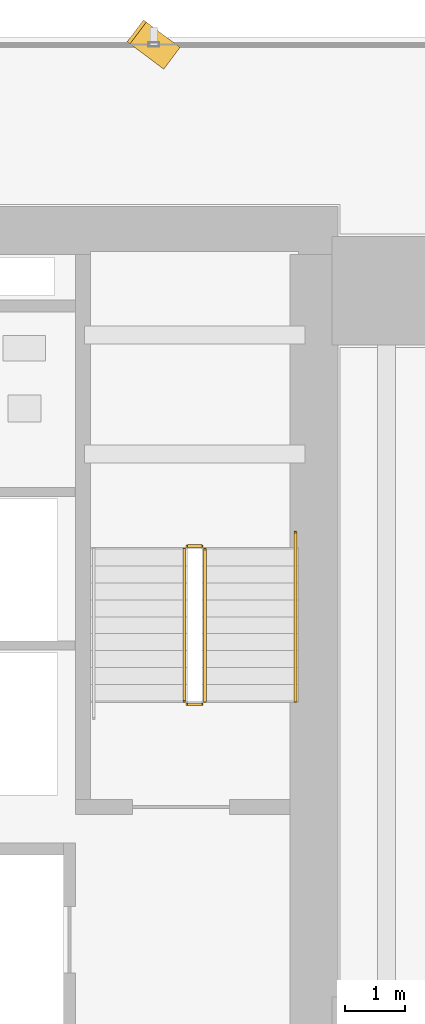
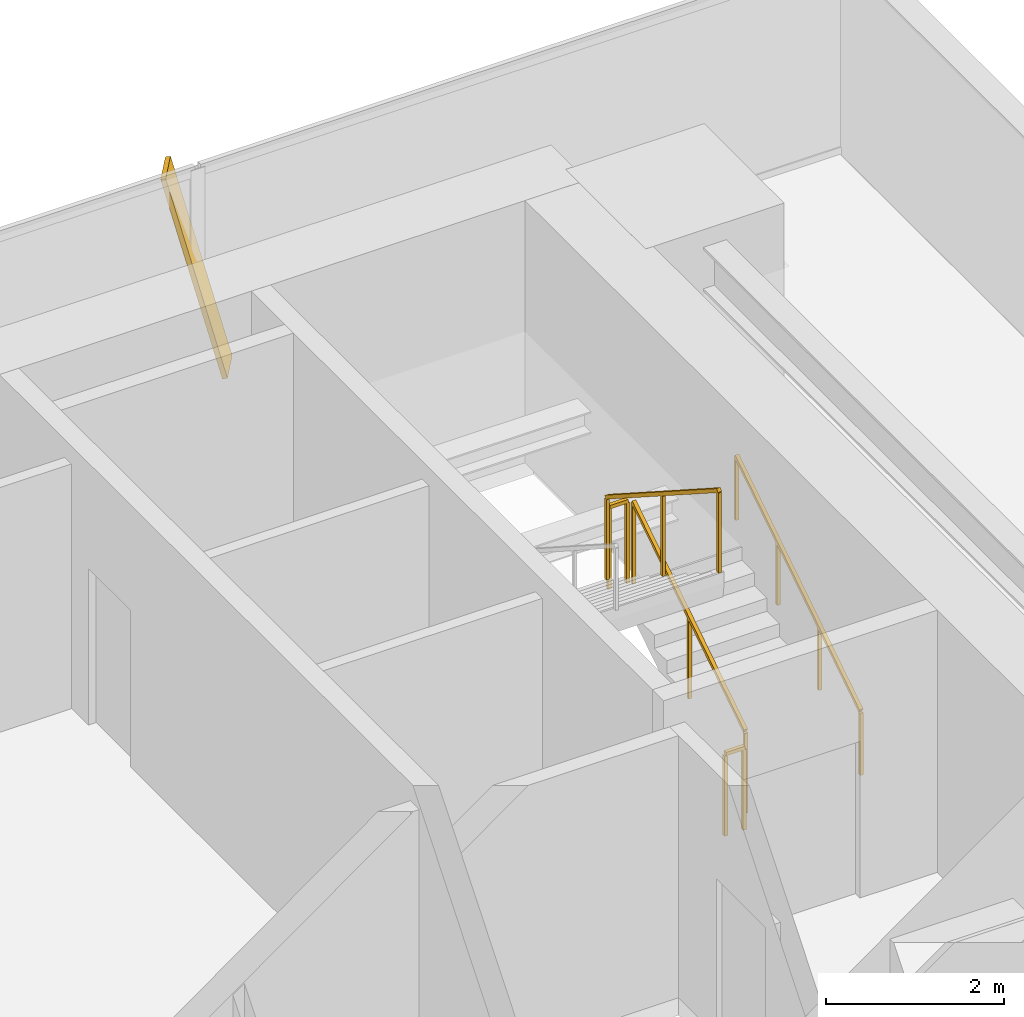
# One storey, part 32 of 33: 5 railings, 1 shading device.
"""IFC4 building model written with IfcOpenShell, lengths in metres."""

from ifc_helpers import new_model, si_unit, direction, frame, origin, origin_2d, place, context, subcontext, project, spatial, rectangle, extrude, source, transform, mapped, material, material_profile, profile_set, type_object, element, save


model = new_model("IFC4")

# Units and contexts
model_context = context("Model", 3, precision=1e-05, world=origin(), true_north=direction((0.0, 1.0)))
body_context = subcontext(model_context, "Body", "Model", "MODEL_VIEW")
ifc_project = project(units=[si_unit("LENGTHUNIT", "METRE"), si_unit("AREAUNIT", "SQUARE_METRE"), si_unit("VOLUMEUNIT", "CUBIC_METRE"), si_unit("PLANEANGLEUNIT", "RADIAN"), si_unit("MASSUNIT", "GRAM", prefix="KILO")], contexts=[model_context])

# Site, building, storey
site_placement = place(None, origin())
site = spatial("IfcSite", under=ifc_project, at=site_placement, CompositionType="ELEMENT")
building_placement = place(site_placement, origin())
building = spatial("IfcBuilding", under=site, at=building_placement, Name="Sumidabori Civic Tower", CompositionType="ELEMENT")
storey_placement = place(building_placement, frame((0.0, 0.0, 30.800048828125)))
storey = spatial("IfcBuildingStorey", under=building, at=storey_placement, Name="L07", CompositionType="ELEMENT", Elevation=30.800048828125)

# Railings
ifc_material_1 = material(Name="Stainless Steel Hairline Finish", Category="steel")
railing_type_1 = type_object("IfcRailingType", Name="RL-HANDRAIL", PredefinedType="HANDRAIL", material=ifc_material_1)
railing_1_placement = place(storey_placement, frame((15.2900390625, 16.0, 0.179931640625)))
element("IfcRailing", 1, at=railing_1_placement, inside=storey, type_object=railing_type_1, Name="L07 ST-2 stair handrail 1", PredefinedType="HANDRAIL", context=body_context, shape_type="SweptSolid", body=[
    extrude(rectangle(XDim=0.048095703125, YDim=0.048095703125, at=origin_2d()), frame((0.0, 0.0, 0.8759765625), z_axis=(0.0, 0.840675598268, 0.541539046124), x_axis=(-1.0, 0.0, 0.0)), (0.0, 0.0, 1.0), 3.330810546875),
    extrude(rectangle(XDim=0.0419921875, YDim=0.0419921875, at=origin_2d()), origin(), (0.0, 0.0, 1.0), 0.851806640625),
    extrude(rectangle(XDim=0.0419921875, YDim=0.0419921875, at=origin_2d()), frame((0.0, 0.933349609375, 0.601318359375)), (0.0, 0.0, 1.0), 0.851806640625),
    extrude(rectangle(XDim=0.0419921875, YDim=0.0419921875, at=origin_2d()), frame((0.0, 1.86669921875, 1.202392578125)), (0.0, 0.0, 1.0), 0.851806640625),
    extrude(rectangle(XDim=0.0419921875, YDim=0.0419921875, at=origin_2d()), frame((0.0, 2.800048828125, 1.8037109375)), (0.0, 0.0, 1.0), 0.851806640625),
])
ifc_material_2 = material(Name="Steel SN490", Category="steel")
railing_type_2 = type_object("IfcRailingType", Name="RL-STAIR-GUARD", PredefinedType="GUARDRAIL", material=ifc_material_2)
railing_2_placement = place(storey_placement, frame((13.7900390625, 16.0, 0.179931640625)))
element("IfcRailing", 2, at=railing_2_placement, inside=storey, type_object=railing_type_2, Name="L07 ST-2 stair guard 1", PredefinedType="GUARDRAIL", context=body_context, shape_type="SweptSolid", body=[
    extrude(rectangle(XDim=0.048095703125, YDim=0.048095703125, at=origin_2d()), frame((0.0, 0.0, 1.1259765625), z_axis=(0.0, 0.841162588446, 0.540782303519), x_axis=(-1.0, 0.0, 0.0)), (0.0, 0.0, 1.0), 2.995849609375),
    extrude(rectangle(XDim=0.0419921875, YDim=0.0419921875, at=origin_2d()), origin(), (0.0, 0.0, 1.0), 1.101806640625),
    extrude(rectangle(XDim=0.0419921875, YDim=0.0419921875, at=origin_2d()), frame((0.0, 1.260009765625, 0.81005859375)), (0.0, 0.0, 1.0), 1.101806640625),
    extrude(rectangle(XDim=0.0419921875, YDim=0.0419921875, at=origin_2d()), frame((0.0, 2.52001953125, 1.6201171875)), (0.0, 0.0, 1.0), 1.101806640625),
])
railing_3_placement = place(storey_placement, frame((13.739990234375, 18.570068359375, 1.800048828125)))
element("IfcRailing", 3, at=railing_3_placement, inside=storey, type_object=railing_type_2, Name="L07 ST-2 stair guard 2", PredefinedType="GUARDRAIL", context=body_context, shape_type="SweptSolid", body=[
    extrude(rectangle(XDim=0.048095703125, YDim=0.048095703125, at=origin_2d()), frame((0.0, 0.0, 1.1259765625), z_axis=(-1.0, 0.0, 0.0), x_axis=(0.0, -1.0, 0.0)), (0.0, 0.0, 1.0), 0.239990234375),
    extrude(rectangle(XDim=0.0419921875, YDim=0.0419921875, at=origin_2d()), origin(), (0.0, 0.0, 1.0), 1.101806640625),
    extrude(rectangle(XDim=0.0419921875, YDim=0.0419921875, at=origin_2d()), frame((-0.239990234375, 0.0, 0.0)), (0.0, 0.0, 1.0), 1.101806640625),
])
railing_4_placement = place(storey_placement, frame((13.449951171875, 18.52001953125, 1.97998046875)))
element("IfcRailing", 4, at=railing_4_placement, inside=storey, type_object=railing_type_2, Name="L07 ST-2 stair guard 3", PredefinedType="GUARDRAIL", context=body_context, shape_type="SweptSolid", body=[
    extrude(rectangle(XDim=0.048095703125, YDim=0.048095703125, at=origin_2d()), frame((0.0, 0.0, 1.1259765625), z_axis=(0.0, -0.841199657755, 0.540724639528), x_axis=(1.0, 0.0, 0.0)), (0.0, 0.0, 1.0), 2.995849609375),
    extrude(rectangle(XDim=0.0419921875, YDim=0.0419921875, at=origin_2d()), origin(), (0.0, 0.0, 1.0), 1.101806640625),
    extrude(rectangle(XDim=0.0419921875, YDim=0.0419921875, at=origin_2d()), frame((0.0, -1.260009765625, 0.81005859375)), (0.0, 0.0, 1.0), 1.101806640625),
    extrude(rectangle(XDim=0.0419921875, YDim=0.0419921875, at=origin_2d()), frame((0.0, -2.52001953125, 1.619873046875)), (0.0, 0.0, 1.0), 1.101806640625),
])
railing_5_placement = place(storey_placement, frame((13.739990234375, 15.949951171875, 0.0)))
element("IfcRailing", 5, at=railing_5_placement, inside=storey, type_object=railing_type_2, Name="L07 ST-2 stair guard 4", PredefinedType="GUARDRAIL", context=body_context, shape_type="SweptSolid", body=[
    extrude(rectangle(XDim=0.048095703125, YDim=0.048095703125, at=origin_2d()), frame((0.0, 0.0, 1.1259765625), z_axis=(-1.0, 0.0, 0.0), x_axis=(0.0, -1.0, 0.0)), (0.0, 0.0, 1.0), 0.239990234375),
    extrude(rectangle(XDim=0.0419921875, YDim=0.0419921875, at=origin_2d()), origin(), (0.0, 0.0, 1.0), 1.101806640625),
    extrude(rectangle(XDim=0.0419921875, YDim=0.0419921875, at=origin_2d()), frame((-0.239990234375, 0.0, 0.0)), (0.0, 0.0, 1.0), 1.101806640625),
])

# Shading device
ifc_material_3 = material(Name="Anodised Bronze Aluminium AW-6063-T6", Category="aluminium")
ifc_material_profile = material_profile(ifc_material_3, rectangle(XDim=0.06005859375, YDim=0.449951171875, at=origin_2d()), Name="BRONZE FIN 450x60")
ifc_profile_set = profile_set([ifc_material_profile], Name="Anodised Bronze Aluminium AW-6063-T6")
shading_device_type = type_object("IfcShadingDeviceType", Name="SH-FIN-450", PredefinedType="USERDEFINED", material=ifc_profile_set)
shared_shape = source(origin(), body_context, "Body", "SweptSolid", [
    extrude(rectangle(XDim=0.06005859375, YDim=0.449951171875, at=origin_2d()), origin(), (0.0, 0.0, 1.0), 2.769775390625),
])
shading_device_placement = place(storey_placement, frame((13.221923828125, 26.669921875, 0.02001953125), z_axis=(-0.20211139135, 0.151693721986, 0.967543280787), x_axis=(0.773832092044, -0.580795913828, 0.252705361643)))
element("IfcShadingDevice", 6, at=shading_device_placement, inside=storey, type_object=shading_device_type, Name="Bronze Anodised Diagonal Fin L07-01", ObjectType="FIN", PredefinedType="USERDEFINED", context=body_context, shape_type="MappedRepresentation", body=[
    mapped(shared_shape, transform((0.0, 0.0, 0.0), x_axis=(1.0, 0.0, 0.0), y_axis=(0.0, 1.0, 0.0), z_axis=(0.0, 0.0, 1.0), scale=1.0)),
])

save(model, "model.ifc")
